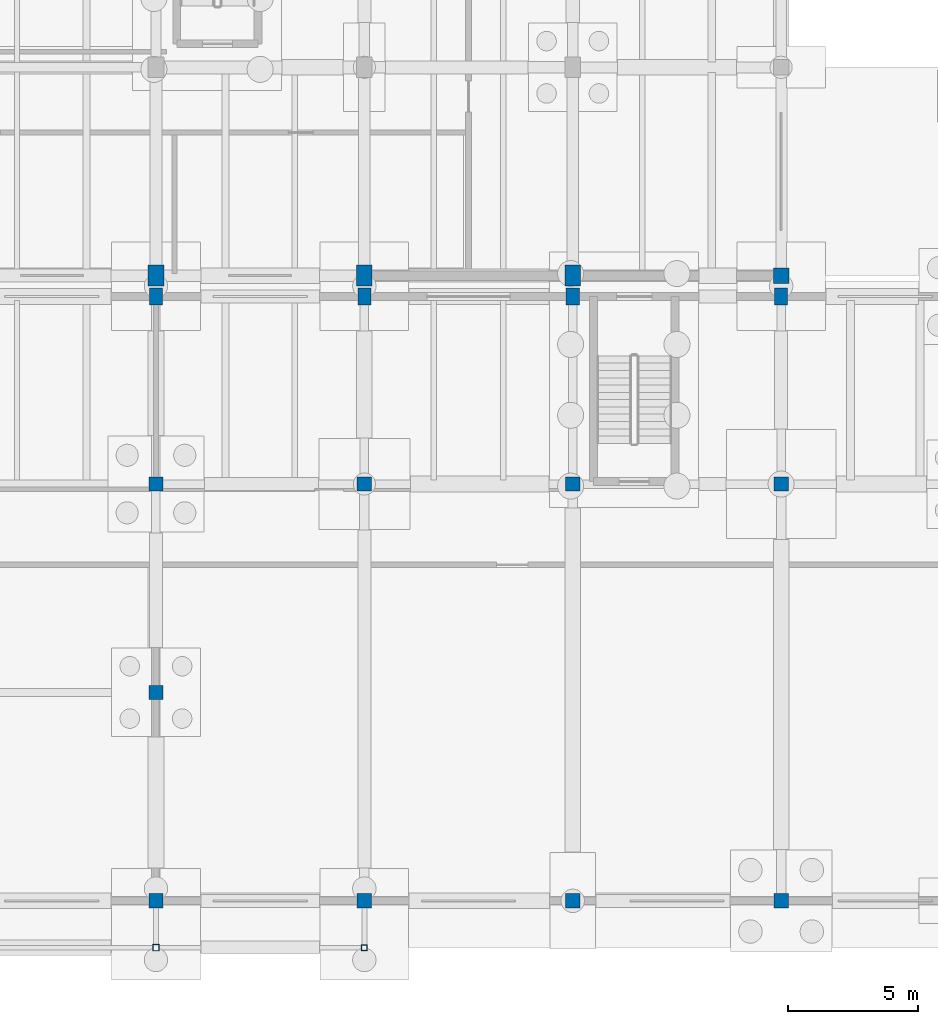
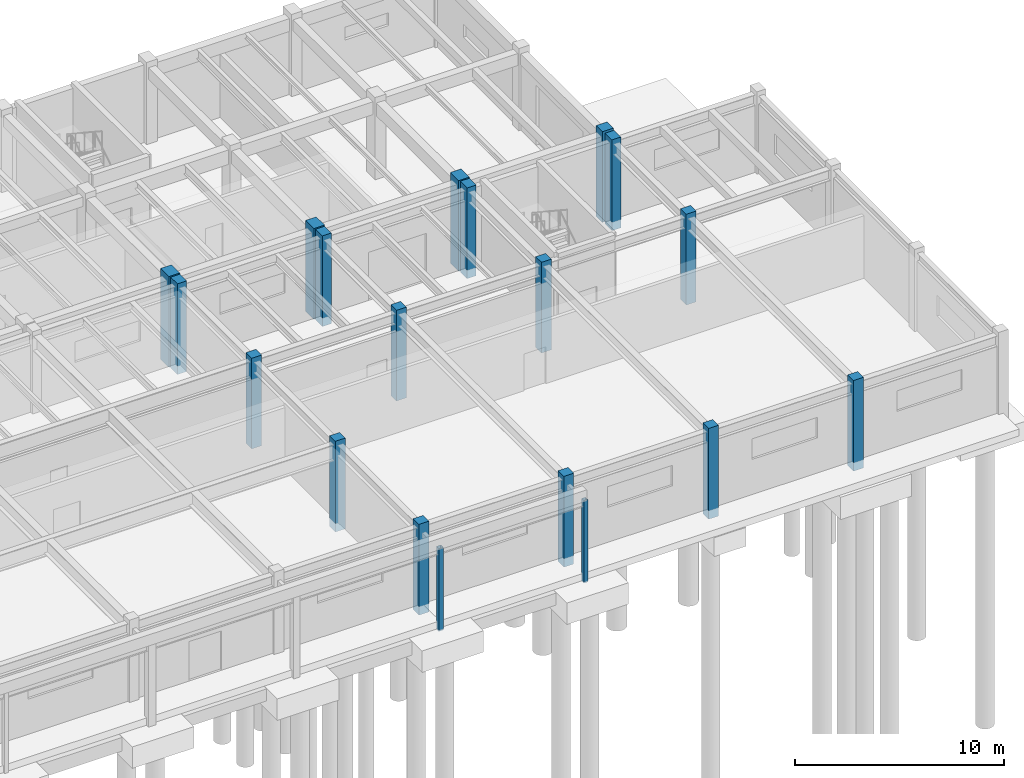
# One storey, part 11 of 64: 19 columns.
"""IFC4 building model written with IfcOpenShell, lengths in metres."""

from ifc_helpers import new_model, si_unit, direction, frame, origin, origin_2d, place, context, subcontext, project, spatial, rectangle, hollow_rectangle, extrude, material, material_profile, profile_set, type_object, element, save


model = new_model("IFC4")

# Units and contexts
model_context = context("Model", 3, precision=1e-05, world=origin(), true_north=direction((0.0, 1.0)))
body_context = subcontext(model_context, "Body", "Model", "MODEL_VIEW")
ifc_project = project(units=[si_unit("LENGTHUNIT", "METRE"), si_unit("AREAUNIT", "SQUARE_METRE"), si_unit("VOLUMEUNIT", "CUBIC_METRE"), si_unit("PLANEANGLEUNIT", "RADIAN"), si_unit("MASSUNIT", "GRAM", prefix="KILO")], contexts=[model_context])

# Site, building, storey
site_placement = place(None, origin())
site = spatial("IfcSite", under=ifc_project, at=site_placement, CompositionType="ELEMENT")
building_placement = place(site_placement, origin())
building = spatial("IfcBuilding", under=site, at=building_placement, Name="Tlaxcora Railside Police Headquarters", CompositionType="ELEMENT")
storey_placement = place(building_placement, origin())
storey = spatial("IfcBuildingStorey", under=building, at=storey_placement, Name="L00", CompositionType="ELEMENT", Elevation=0.0)

# Columns
ifc_material_1 = material(Name="Steel ASTM A992 Grade 50", Category="steel")
ifc_material_profile_1 = material_profile(ifc_material_1, hollow_rectangle(XDim=0.25, YDim=0.25, WallThickness=0.011962890625, at=origin_2d()), Name="HSS250X250X12")
ifc_profile_set_1 = profile_set([ifc_material_profile_1], Name="Steel ASTM A992 Grade 50")
column_type_1 = type_object("IfcColumnType", Name="Facade Pilaster Column CL-25", PredefinedType="PILASTER", material=ifc_profile_set_1)
column_1_placement = place(storey_placement, frame((134.800048828125, 10.199951171875, -0.5), z_axis=(0.0, 0.0, 1.0), x_axis=(1.0, 0.0, 0.0)))
element("IfcColumn", 1, at=column_1_placement, inside=storey, type_object=column_type_1, Name="Forecourt colonnade pilaster X=134.8", PredefinedType="PILASTER", context=body_context, shape_type="SweptSolid", body=[
    extrude(hollow_rectangle(XDim=0.25, YDim=0.25, WallThickness=0.011962890625, at=origin_2d()), origin(), (0.0, 0.0, 1.0), 4.820068359375),
])
ifc_material_profile_2 = material_profile(ifc_material_1, hollow_rectangle(XDim=0.219970703125, YDim=0.219970703125, WallThickness=0.011962890625, at=origin_2d()), Name="HSS220X220X12")
ifc_profile_set_2 = profile_set([ifc_material_profile_2], Name="Steel ASTM A992 Grade 50")
column_type_2 = type_object("IfcColumnType", Name="Facade Pilaster Column CL-29", PredefinedType="PILASTER", material=ifc_profile_set_2)
column_2_placement = place(storey_placement, frame((142.800048828125, 10.199951171875, -0.5), z_axis=(0.0, 0.0, 1.0), x_axis=(1.0, 0.0, 0.0)))
element("IfcColumn", 2, at=column_2_placement, inside=storey, type_object=column_type_2, Name="Forecourt colonnade pilaster X=142.8", PredefinedType="PILASTER", context=body_context, shape_type="SweptSolid", body=[
    extrude(hollow_rectangle(XDim=0.219970703125, YDim=0.219970703125, WallThickness=0.011962890625, at=origin_2d()), origin(), (0.0, 0.0, 1.0), 4.820068359375),
])
ifc_material_2 = material(Name="Concrete C40/50", Category="concrete")
ifc_material_profile_3 = material_profile(ifc_material_2, rectangle(XDim=0.5, YDim=0.64990234375, at=origin_2d()), Name="RC500X650")
ifc_profile_set_3 = profile_set([ifc_material_profile_3], Name="Concrete C40/50")
column_type_3 = type_object("IfcColumnType", Name="Structural Column CL-28", PredefinedType="COLUMN", material=ifc_profile_set_3)
for number, where, z_axis, x_axis, name in (
    (3, (134.800048828125, 35.199951171875, -0.5), (0.0, 0.0, 1.0), (1.0, 0.0, 0.0), "L00 column (134.8, 35.2)"),
    (4, (142.800048828125, 35.199951171875, -0.5), (0.0, 0.0, 1.0), (1.0, 0.0, 0.0), "L00 column (142.8, 35.2)"),
    (5, (150.800048828125, 35.199951171875, -0.5), (0.0, 0.0, 1.0), (1.0, 0.0, 0.0), "L00 column (150.8, 35.2)"),
    (6, (158.800048828125, 35.199951171875, -0.5), (0.0, 0.0, 1.0), (1.0, 0.0, 0.0), "L00 column (158.8, 35.2)"),
):
    element("IfcColumn", number, at=place(storey_placement, frame(where, z_axis=z_axis, x_axis=x_axis)), inside=storey, type_object=column_type_3, Name=name, PredefinedType="COLUMN", context=body_context, shape_type="SweptSolid", body=[
        extrude(rectangle(XDim=0.5, YDim=0.64990234375, at=origin_2d()), origin(), (0.0, 0.0, 1.0), 5.300048828125),
    ])
ifc_material_profile_4 = material_profile(ifc_material_2, rectangle(XDim=0.60009765625, YDim=0.60009765625, at=origin_2d()), Name="RC600X600")
ifc_profile_set_4 = profile_set([ifc_material_profile_4], Name="Concrete C40/50")
column_type_4 = type_object("IfcColumnType", Name="Structural Column CL-53", PredefinedType="COLUMN", material=ifc_profile_set_4)
column_3_placement = place(storey_placement, frame((158.800048828125, 36.0, -0.5), z_axis=(0.0, 0.0, 1.0), x_axis=(1.0, 0.0, 0.0)))
element("IfcColumn", 7, at=column_3_placement, inside=storey, type_object=column_type_4, Name="L00 column (158.8, 36.0)", PredefinedType="COLUMN", context=body_context, shape_type="SweptSolid", body=[
    extrude(rectangle(XDim=0.60009765625, YDim=0.60009765625, at=origin_2d()), origin(), (0.0, 0.0, 1.0), 5.300048828125),
])
ifc_material_profile_5 = material_profile(ifc_material_2, rectangle(XDim=0.550048828125, YDim=0.550048828125, at=origin_2d()), Name="RC550X550")
ifc_profile_set_5 = profile_set([ifc_material_profile_5], Name="Concrete C40/50")
column_type_5 = type_object("IfcColumnType", Name="Structural Column CL-83", PredefinedType="COLUMN", material=ifc_profile_set_5)
for number, where, z_axis, x_axis, name in (
    (8, (134.800048828125, 12.0, -0.5), (0.0, 0.0, 1.0), (1.0, 0.0, 0.0), "L00 column (134.8, 12.0)"),
    (9, (134.800048828125, 20.0, -0.5), (0.0, 0.0, 1.0), (1.0, 0.0, 0.0), "L00 column (134.8, 20.0)"),
    (10, (134.800048828125, 28.0, -0.5), (0.0, 0.0, 1.0), (1.0, 0.0, 0.0), "L00 column (134.8, 28.0)"),
    (11, (142.800048828125, 12.0, -0.5), (0.0, 0.0, 1.0), (1.0, 0.0, 0.0), "L00 column (142.8, 12.0)"),
    (12, (142.800048828125, 28.0, -0.5), (0.0, 0.0, 1.0), (1.0, 0.0, 0.0), "L00 column (142.8, 28.0)"),
    (13, (150.800048828125, 12.0, -0.5), (0.0, 0.0, 1.0), (1.0, 0.0, 0.0), "L00 column (150.8, 12.0)"),
    (14, (150.800048828125, 28.0, -0.5), (0.0, 0.0, 1.0), (1.0, 0.0, 0.0), "L00 column (150.8, 28.0)"),
    (15, (158.800048828125, 12.0, -0.5), (0.0, 0.0, 1.0), (1.0, 0.0, 0.0), "L00 column (158.8, 12.0)"),
    (16, (158.800048828125, 28.0, -0.5), (0.0, 0.0, 1.0), (1.0, 0.0, 0.0), "L00 column (158.8, 28.0)"),
):
    element("IfcColumn", number, at=place(storey_placement, frame(where, z_axis=z_axis, x_axis=x_axis)), inside=storey, type_object=column_type_5, Name=name, PredefinedType="COLUMN", context=body_context, shape_type="SweptSolid", body=[
        extrude(rectangle(XDim=0.550048828125, YDim=0.550048828125, at=origin_2d()), origin(), (0.0, 0.0, 1.0), 5.300048828125),
    ])
ifc_material_profile_6 = material_profile(ifc_material_2, rectangle(XDim=0.60009765625, YDim=0.800048828125, at=origin_2d()), Name="RC600X800")
ifc_profile_set_6 = profile_set([ifc_material_profile_6], Name="Concrete C40/50")
column_type_6 = type_object("IfcColumnType", Name="Structural Column CL-90", PredefinedType="COLUMN", material=ifc_profile_set_6)
for number, where, z_axis, x_axis, name in (
    (17, (134.800048828125, 36.0, -0.5), (0.0, 0.0, 1.0), (1.0, 0.0, 0.0), "L00 column (134.8, 36.0)"),
    (18, (142.800048828125, 36.0, -0.5), (0.0, 0.0, 1.0), (1.0, 0.0, 0.0), "L00 column (142.8, 36.0)"),
    (19, (150.800048828125, 36.0, -0.5), (0.0, 0.0, 1.0), (1.0, 0.0, 0.0), "L00 column (150.8, 36.0)"),
):
    element("IfcColumn", number, at=place(storey_placement, frame(where, z_axis=z_axis, x_axis=x_axis)), inside=storey, type_object=column_type_6, Name=name, PredefinedType="COLUMN", context=body_context, shape_type="SweptSolid", body=[
        extrude(rectangle(XDim=0.60009765625, YDim=0.800048828125, at=origin_2d()), origin(), (0.0, 0.0, 1.0), 5.300048828125),
    ])

save(model, "model.ifc")
